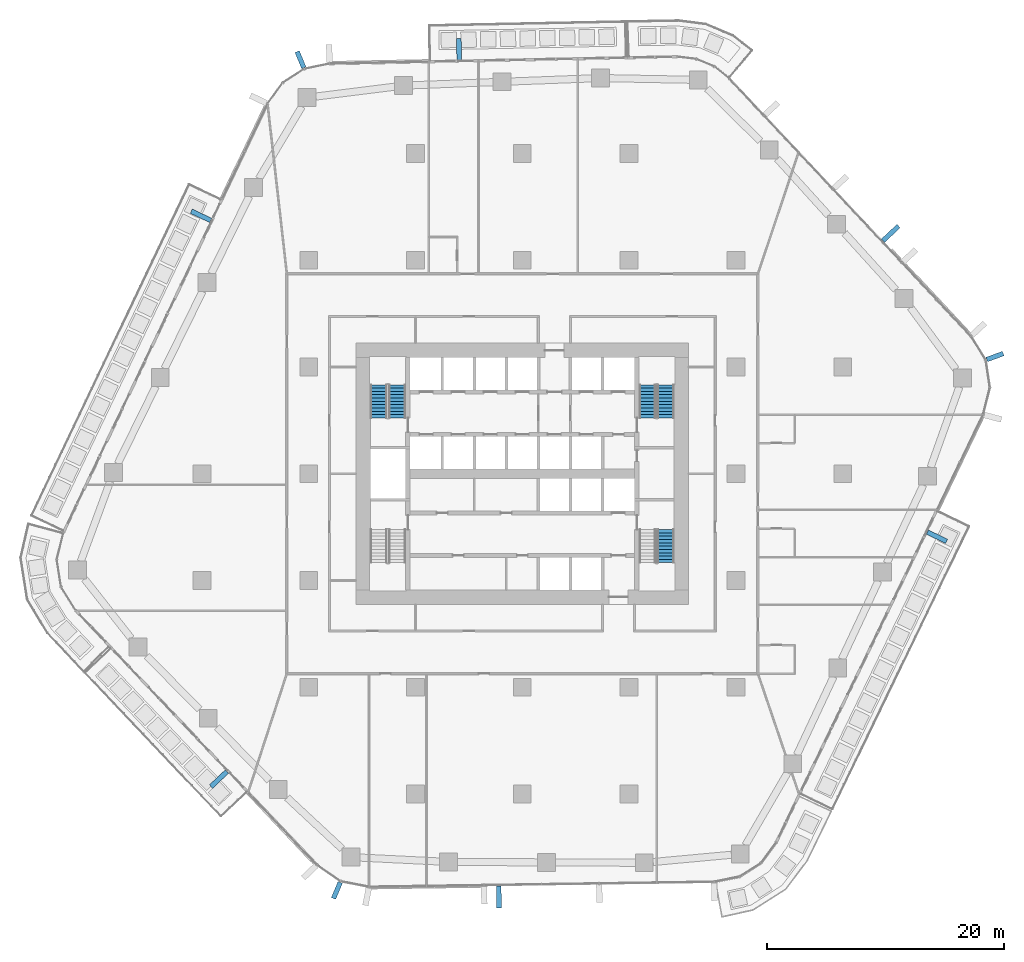
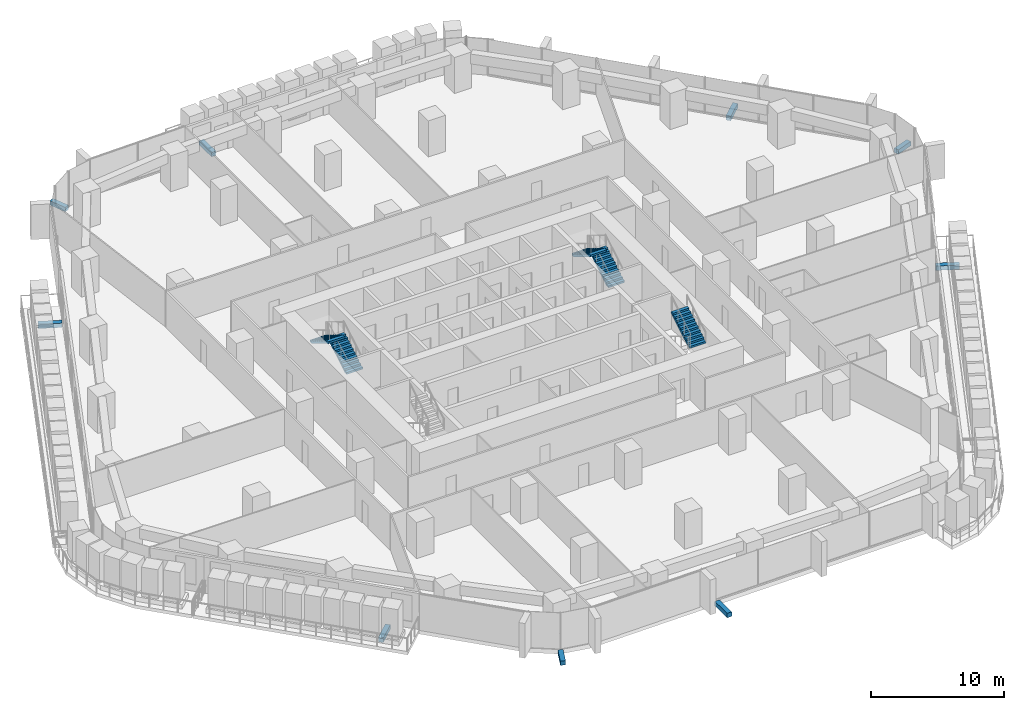
# One storey, part 17 of 24: 9 discrete accessories, 5 stair flights, 3 elements without a shape of their own.
"""IFC4 building model written with IfcOpenShell, lengths in metres."""

import ifcopenshell
import ifcopenshell.guid

model = None  # the IFC model being written
_history = None  # IfcOwnerHistory: only IFC2X3 demands one
_inside = {}  # id of a spatial element -> (the spatial element, [elements in it])
_under = {}  # id of a project, library or spatial element -> (it, [spatial elements below it])
_declared = {}  # id of a project -> (the project, [libraries it declares])
_typed = {}  # id of a type object -> (the type object, [elements of that type])
_made_of = {}  # id of a material, layer set ... -> (it, [elements and type objects made of it])


def new_model(schema):
    """Start an empty IFC model of exactly this schema.

    Asked for "IFC4X3", IfcOpenShell would pick the latest addendum, in which some entities
    have other attributes; the version numbers below select the first issue.
    IFC2X3 requires an IfcOwnerHistory on every rooted entity: one is made here for all.
    """
    global model, _history
    if schema == "IFC4X3":
        model = ifcopenshell.file(schema_version=(4, 3, 0, 0))
    else:
        model = ifcopenshell.file(schema=schema)
    _inside.clear()
    _under.clear()
    _declared.clear()
    _typed.clear()
    _made_of.clear()
    _history = None
    if model.schema == "IFC2X3":
        org = make("IfcOrganization", Name="unknown")
        user = make(
            "IfcPersonAndOrganization",
            ThePerson=make("IfcPerson", FamilyName="unknown"),
            TheOrganization=org,
        )
        app = make(
            "IfcApplication",
            ApplicationDeveloper=org,
            Version="unknown",
            ApplicationFullName="unknown",
            ApplicationIdentifier="unknown",
        )
        _history = make(
            "IfcOwnerHistory",
            OwningUser=user,
            OwningApplication=app,
            ChangeAction="ADDED",
            CreationDate=0,
        )
    return model


def make(cls, **values):
    """One entity of the class cls with the attributes given. An attribute that is None is left unset."""
    return model.create_entity(
        cls, **{name: value for name, value in values.items() if value is not None}
    )


def rooted(cls, **values):
    """An entity with a GlobalId (a new one), such as an element, a storey or a relation."""
    return make(cls, GlobalId=ifcopenshell.guid.new(), OwnerHistory=_history, **values)


def si_unit(unit_type, name, prefix=None):
    """IfcSIUnit, for example si_unit("LENGTHUNIT", "METRE", prefix="MILLI")."""
    return make("IfcSIUnit", UnitType=unit_type, Prefix=prefix, Name=name)


def assignment(units):
    """IfcUnitAssignment: the units of a project."""
    return None if units is None else make("IfcUnitAssignment", Units=units)


def point(xyz):
    """IfcCartesianPoint."""
    return None if xyz is None else make("IfcCartesianPoint", Coordinates=xyz)


def direction(xyz):
    """IfcDirection."""
    return None if xyz is None else make("IfcDirection", DirectionRatios=xyz)


def frame(location, z_axis=None, x_axis=None):
    """IfcAxis2Placement3D, a coordinate frame: its origin and axes. An axis left out is left unset."""
    return make(
        "IfcAxis2Placement3D",
        Location=point(location),
        Axis=direction(z_axis),
        RefDirection=direction(x_axis),
    )


def frame_2d(location, x_axis=None):
    """IfcAxis2Placement2D, a coordinate frame in the plane: its origin and x axis."""
    return make(
        "IfcAxis2Placement2D", Location=point(location), RefDirection=direction(x_axis)
    )


def origin():
    """The frame at (0, 0, 0) with its axes left unset."""
    return frame((0.0, 0.0, 0.0))


def origin_2d():
    """The frame at (0, 0) in the plane with its x axis left unset."""
    return frame_2d((0.0, 0.0))


def place(relative_to, where):
    """IfcLocalPlacement: puts the frame where relative to a parent placement (None: the world)."""
    return make(
        "IfcLocalPlacement", PlacementRelTo=relative_to, RelativePlacement=where
    )


def context(
    kind, dimensions, precision=None, world=None, true_north=None, identifier=None
):
    """IfcGeometricRepresentationContext, for example the 3D "Model" context."""
    return make(
        "IfcGeometricRepresentationContext",
        ContextIdentifier=identifier,
        ContextType=kind,
        CoordinateSpaceDimension=dimensions,
        Precision=precision,
        WorldCoordinateSystem=world,
        TrueNorth=true_north,
    )


def subcontext(parent, identifier, kind, view, scale=None):
    """IfcGeometricRepresentationSubContext, for example "Body" below "Model"."""
    return make(
        "IfcGeometricRepresentationSubContext",
        ContextIdentifier=identifier,
        ContextType=kind,
        ParentContext=parent,
        TargetScale=scale,
        TargetView=view,
    )


def project(units=None, contexts=None):
    """IfcProject with its units and contexts."""
    return rooted(
        "IfcProject",
        Name="project",
        RepresentationContexts=contexts,
        UnitsInContext=assignment(units),
    )


def spatial(cls, under=None, at=None, **own):
    """A site, building, storey or space (cls), placed at a placement, below another one or the project."""
    s = rooted(cls, ObjectPlacement=at, **own)
    if under is not None:
        _under.setdefault(under.id(), (under, []))[1].append(s)
    return s


def polyline(points):
    """IfcPolyline through the points."""
    return make("IfcPolyline", Points=[point(p) for p in points])


def profile(cls, at=None, kind="AREA", **sizes):
    """A parametric profile (cls). Its sizes go by their IFC names, for example OverallWidth=200.0."""
    return make(cls, ProfileType=kind, Position=at, **sizes)


def rectangle(**sizes):
    """IfcRectangleProfileDef."""
    return profile("IfcRectangleProfileDef", **sizes)


def outline(outer, holes=None, kind="AREA"):
    """IfcArbitraryClosedProfileDef: a profile drawn as a closed curve; with holes, ...WithVoids."""
    if holes is None:
        return make("IfcArbitraryClosedProfileDef", ProfileType=kind, OuterCurve=outer)
    return make(
        "IfcArbitraryProfileDefWithVoids",
        ProfileType=kind,
        OuterCurve=outer,
        InnerCurves=holes,
    )


def extrude(swept, where, along, depth):
    """IfcExtrudedAreaSolid: the profile swept, set in the frame where, extruded along a direction by depth."""
    return make(
        "IfcExtrudedAreaSolid",
        SweptArea=swept,
        Position=where,
        ExtrudedDirection=direction(along),
        Depth=depth,
    )


def shape(context_of_items, identifier, shape_type, items):
    """IfcShapeRepresentation: the items that make up one representation, for example the "Body"."""
    return make(
        "IfcShapeRepresentation",
        ContextOfItems=context_of_items,
        RepresentationIdentifier=identifier,
        RepresentationType=shape_type,
        Items=items,
    )


def material(Name=None, Category=None):
    """IfcMaterial."""
    return make("IfcMaterial", Name=Name, Category=Category)


def layer(
    of_material, thickness, ventilated=None, Name=None, Category=None, Priority=None
):
    """IfcMaterialLayer: one layer of a wall or slab, of a material (None: an air gap)."""
    return make(
        "IfcMaterialLayer",
        Material=of_material,
        LayerThickness=thickness,
        IsVentilated=ventilated,
        Name=Name,
        Category=Category,
        Priority=Priority,
    )


def layer_set(layers, Name=None):
    """IfcMaterialLayerSet."""
    return make("IfcMaterialLayerSet", MaterialLayers=layers, LayerSetName=Name)


def made_of(thing, what):
    """Note that an element or type object is made of a material, layer set ...; save() writes the relation."""
    if what is not None:
        _made_of.setdefault(what.id(), (what, []))[1].append(thing)
    return thing


def type_object(cls, material=None, **own):
    """A type object (cls), such as IfcWallType, which elements share."""
    return made_of(rooted(cls, **own), material)


def element(
    cls,
    number,
    at=None,
    inside=None,
    cuts=None,
    type_object=None,
    material=None,
    context=None,
    identifier="Body",
    shape_type=None,
    held_by="IfcProductDefinitionShape",
    body=None,
    shapes=None,
    **own,
):
    """One element of the class cls, such as IfcWall. Its Tag is "e" and its number.

    at: its placement. inside: the storey or other place that contains it. cuts: it is an
    opening in that element (IfcRelVoidsElement). A single representation is given by context,
    identifier, shape_type and body (its items); several are given by shapes. held_by: the class
    of the entity that holds the representations. save() writes the other relations.
    """
    e = rooted(cls, Tag="e%d" % number, ObjectPlacement=at, **own)
    if body is not None:
        shapes = [shape(context, identifier, shape_type, body)]
    if shapes is not None:
        e.Representation = make(held_by, Representations=shapes)
    if inside is not None:
        _inside.setdefault(inside.id(), (inside, []))[1].append(e)
    if cuts is not None:
        rooted(
            "IfcRelVoidsElement", RelatingBuildingElement=cuts, RelatedOpeningElement=e
        )
    if type_object is not None:
        _typed.setdefault(type_object.id(), (type_object, []))[1].append(e)
    return made_of(e, material)


def aggregate(whole, parts):
    """IfcRelAggregates: a whole, such as a stair, and the parts it consists of."""
    return rooted("IfcRelAggregates", RelatingObject=whole, RelatedObjects=parts)


def save(model, path):
    """Write the relations noted so far, then the file.

    IfcRelAggregates (storeys below a building ...), IfcRelContainedInSpatialStructure (elements
    in a storey), IfcRelDefinesByType, IfcRelAssociatesMaterial and IfcRelDeclares: one each for
    every whole, place, type object, material and project.
    """
    for whole, parts in _under.values():
        aggregate(whole, parts)
    for where, things in _inside.values():
        rooted(
            "IfcRelContainedInSpatialStructure",
            RelatedElements=things,
            RelatingStructure=where,
        )
    for kind, things in _typed.values():
        rooted("IfcRelDefinesByType", RelatedObjects=things, RelatingType=kind)
    for what, things in _made_of.values():
        rooted("IfcRelAssociatesMaterial", RelatedObjects=things, RelatingMaterial=what)
    for by, libraries in _declared.values():
        rooted("IfcRelDeclares", RelatingContext=by, RelatedDefinitions=libraries)
    model.write(path)


model = new_model("IFC4")

# Units and contexts
model_context = context("Model", 3, precision=1e-05, world=origin(), true_north=direction((0.0, 1.0)))
body_context = subcontext(model_context, "Body", "Model", "MODEL_VIEW")
ifc_project = project(units=[si_unit("LENGTHUNIT", "METRE"), si_unit("AREAUNIT", "SQUARE_METRE"), si_unit("VOLUMEUNIT", "CUBIC_METRE"), si_unit("PLANEANGLEUNIT", "RADIAN"), si_unit("MASSUNIT", "GRAM", prefix="KILO")], contexts=[model_context])

# Site, building, storey
site_placement = place(None, origin())
site = spatial("IfcSite", under=ifc_project, at=site_placement, CompositionType="ELEMENT")
building_placement = place(site_placement, origin())
building = spatial("IfcBuilding", under=site, at=building_placement, Name="Dongbaek Canopy Tower", CompositionType="ELEMENT")
storey_placement = place(building_placement, frame((0.0, 0.0, 47.699951171875)))
storey = spatial("IfcBuildingStorey", under=building, at=storey_placement, Name="L07", CompositionType="ELEMENT", Elevation=47.699951171875)

# Stair, stair flights
ifc_material_1 = material(Name="Concrete C40/50", Category="concrete")
stair_type = type_object("IfcStairType", Name="Core exit stair", PredefinedType="HALF_TURN_STAIR", material=ifc_material_1)
stair_1_placement = place(storey_placement, origin())
stair_1 = element("IfcStair", 1, at=stair_1_placement, inside=storey, type_object=stair_type, Name="L07 exit stair A", PredefinedType="HALF_TURN_STAIR")
ifc_material_2 = material(Name="Concrete C40/50", Category="concrete")
ifc_layer = layer(ifc_material_2, 0.14990234375)
ifc_layer_set = layer_set([ifc_layer], Name="Core stair flight 150 waist")
stair_flight_type = type_object("IfcStairFlightType", Name="Core stair flight 150 waist", PredefinedType="STRAIGHT", material=ifc_layer_set)
stair_flight_1_placement = place(storey_placement, frame((12.10009765625, 4.699951171875, 0.0), z_axis=(0.0, 0.0, 1.0), x_axis=(0.0, 1.0, 0.0)))
stair_flight_1 = element("IfcStairFlight", 2, at=stair_flight_1_placement, type_object=stair_flight_type, Name="ST-A flight 1", NumberOfRisers=11, NumberOfTreads=10, PredefinedType="STRAIGHT", RiserHeight=0.168181818, TreadLength=0.28, context=body_context, shape_type="SweptSolid", body=[
    extrude(outline(polyline([(0.0, 0.0), (0.0, 0.168212890625), (0.280029296875, 0.168212890625), (0.280029296875, 0.33642578125), (0.56005859375, 0.33642578125), (0.56005859375, 0.504638671875), (0.840087890625, 0.504638671875), (0.840087890625, 0.672607421875), (1.1201171875, 0.672607421875), (1.1201171875, 0.8408203125), (1.39990234375, 0.8408203125), (1.39990234375, 1.009033203125), (1.679931640625, 1.009033203125), (1.679931640625, 1.17724609375), (1.9599609375, 1.17724609375), (1.9599609375, 1.345458984375), (2.239990234375, 1.345458984375), (2.239990234375, 1.513671875), (2.52001953125, 1.513671875), (2.52001953125, 1.681884765625), (2.800048828125, 1.681884765625), (2.800048828125, 1.85009765625), (2.800048828125, 1.5068359375), (0.291015625, 0.0), (0.0, 0.0)])), frame((0.0, 0.699951171875, 0.0), z_axis=(0.0, -1.0, 0.0), x_axis=(1.0, 0.0, 0.0)), (0.0, 0.0, 1.0), 1.39990234375),
])
stair_flight_2_placement = place(storey_placement, frame((10.550048828125, 7.5, 1.85009765625), z_axis=(0.0, 0.0, 1.0), x_axis=(0.0, -1.0, 0.0)))
stair_flight_2 = element("IfcStairFlight", 3, at=stair_flight_2_placement, type_object=stair_flight_type, Name="ST-A flight 2", NumberOfRisers=11, NumberOfTreads=10, PredefinedType="STRAIGHT", RiserHeight=0.168181818, TreadLength=0.28, context=body_context, shape_type="SweptSolid", body=[
    extrude(outline(polyline([(0.0, 0.0), (0.0, 0.168212890625), (0.280029296875, 0.168212890625), (0.280029296875, 0.33642578125), (0.56005859375, 0.33642578125), (0.56005859375, 0.504638671875), (0.840087890625, 0.504638671875), (0.840087890625, 0.672607421875), (1.1201171875, 0.672607421875), (1.1201171875, 0.8408203125), (1.39990234375, 0.8408203125), (1.39990234375, 1.009033203125), (1.679931640625, 1.009033203125), (1.679931640625, 1.17724609375), (1.9599609375, 1.17724609375), (1.9599609375, 1.345458984375), (2.239990234375, 1.345458984375), (2.239990234375, 1.513671875), (2.52001953125, 1.513671875), (2.52001953125, 1.681884765625), (2.800048828125, 1.681884765625), (2.800048828125, 1.85009765625), (2.800048828125, 1.5068359375), (0.291015625, 0.0), (0.0, 0.0)])), frame((0.0, 0.699951171875, 0.0), z_axis=(0.0, -1.0, 0.0), x_axis=(1.0, 0.0, 0.0)), (0.0, 0.0, 1.0), 1.39990234375),
])
aggregate(stair_1, [stair_flight_1, stair_flight_2])

stair_2_placement = place(storey_placement, origin())
stair_2 = element("IfcStair", 4, at=stair_2_placement, inside=storey, type_object=stair_type, Name="L07 exit stair C", PredefinedType="HALF_TURN_STAIR")
stair_flight_3_placement = place(storey_placement, frame((-10.550048828125, 4.699951171875, 0.0), z_axis=(0.0, 0.0, 1.0), x_axis=(0.0, 1.0, 0.0)))
stair_flight_3 = element("IfcStairFlight", 5, at=stair_flight_3_placement, type_object=stair_flight_type, Name="ST-C flight 1", NumberOfRisers=11, NumberOfTreads=10, PredefinedType="STRAIGHT", RiserHeight=0.168181818, TreadLength=0.28, context=body_context, shape_type="SweptSolid", body=[
    extrude(outline(polyline([(0.0, 0.0), (0.0, 0.168212890625), (0.280029296875, 0.168212890625), (0.280029296875, 0.33642578125), (0.56005859375, 0.33642578125), (0.56005859375, 0.504638671875), (0.840087890625, 0.504638671875), (0.840087890625, 0.672607421875), (1.1201171875, 0.672607421875), (1.1201171875, 0.8408203125), (1.39990234375, 0.8408203125), (1.39990234375, 1.009033203125), (1.679931640625, 1.009033203125), (1.679931640625, 1.17724609375), (1.9599609375, 1.17724609375), (1.9599609375, 1.345458984375), (2.239990234375, 1.345458984375), (2.239990234375, 1.513671875), (2.52001953125, 1.513671875), (2.52001953125, 1.681884765625), (2.800048828125, 1.681884765625), (2.800048828125, 1.85009765625), (2.800048828125, 1.5068359375), (0.291015625, 0.0), (0.0, 0.0)])), frame((0.0, 0.699951171875, 0.0), z_axis=(0.0, -1.0, 0.0), x_axis=(1.0, 0.0, 0.0)), (0.0, 0.0, 1.0), 1.39990234375),
])
stair_flight_4_placement = place(storey_placement, frame((-12.10009765625, 7.5, 1.85009765625), z_axis=(0.0, 0.0, 1.0), x_axis=(0.0, -1.0, 0.0)))
stair_flight_4 = element("IfcStairFlight", 6, at=stair_flight_4_placement, type_object=stair_flight_type, Name="ST-C flight 2", NumberOfRisers=11, NumberOfTreads=10, PredefinedType="STRAIGHT", RiserHeight=0.168181818, TreadLength=0.28, context=body_context, shape_type="SweptSolid", body=[
    extrude(outline(polyline([(0.0, 0.0), (0.0, 0.168212890625), (0.280029296875, 0.168212890625), (0.280029296875, 0.33642578125), (0.56005859375, 0.33642578125), (0.56005859375, 0.504638671875), (0.840087890625, 0.504638671875), (0.840087890625, 0.672607421875), (1.1201171875, 0.672607421875), (1.1201171875, 0.8408203125), (1.39990234375, 0.8408203125), (1.39990234375, 1.009033203125), (1.679931640625, 1.009033203125), (1.679931640625, 1.17724609375), (1.9599609375, 1.17724609375), (1.9599609375, 1.345458984375), (2.239990234375, 1.345458984375), (2.239990234375, 1.513671875), (2.52001953125, 1.513671875), (2.52001953125, 1.681884765625), (2.800048828125, 1.681884765625), (2.800048828125, 1.85009765625), (2.800048828125, 1.5068359375), (0.291015625, 0.0), (0.0, 0.0)])), frame((0.0, 0.699951171875, 0.0), z_axis=(0.0, -1.0, 0.0), x_axis=(1.0, 0.0, 0.0)), (0.0, 0.0, 1.0), 1.39990234375),
])
aggregate(stair_2, [stair_flight_3, stair_flight_4])

# Stair, stair flight
stair_3_placement = place(storey_placement, origin())
stair_3 = element("IfcStair", 7, at=stair_3_placement, inside=storey, type_object=stair_type, Name="L07 exit stair B", PredefinedType="HALF_TURN_STAIR")
stair_flight_5_placement = place(storey_placement, frame((12.10009765625, -7.5, 1.85009765625), z_axis=(0.0, 0.0, 1.0), x_axis=(0.0, 1.0, 0.0)))
stair_flight_5 = element("IfcStairFlight", 8, at=stair_flight_5_placement, type_object=stair_flight_type, Name="ST-B flight 2", NumberOfRisers=11, NumberOfTreads=10, PredefinedType="STRAIGHT", RiserHeight=0.168181818, TreadLength=0.28, context=body_context, shape_type="SweptSolid", body=[
    extrude(outline(polyline([(0.0, 0.0), (0.0, 0.168212890625), (0.280029296875, 0.168212890625), (0.280029296875, 0.33642578125), (0.56005859375, 0.33642578125), (0.56005859375, 0.504638671875), (0.840087890625, 0.504638671875), (0.840087890625, 0.672607421875), (1.1201171875, 0.672607421875), (1.1201171875, 0.8408203125), (1.39990234375, 0.8408203125), (1.39990234375, 1.009033203125), (1.679931640625, 1.009033203125), (1.679931640625, 1.17724609375), (1.9599609375, 1.17724609375), (1.9599609375, 1.345458984375), (2.239990234375, 1.345458984375), (2.239990234375, 1.513671875), (2.52001953125, 1.513671875), (2.52001953125, 1.681884765625), (2.800048828125, 1.681884765625), (2.800048828125, 1.85009765625), (2.800048828125, 1.5068359375), (0.291015625, 0.0), (0.0, 0.0)])), frame((0.0, 0.699951171875, 0.0), z_axis=(0.0, -1.0, 0.0), x_axis=(1.0, 0.0, 0.0)), (0.0, 0.0, 1.0), 1.39990234375),
])
aggregate(stair_3, [stair_flight_5])

# Discrete accessories
ifc_material_3 = material(Name="Galvanised steel S355 bracket", Category="steel")
discrete_accessory_type = type_object("IfcDiscreteAccessoryType", Name="Crease fin bracket BR3 400", PredefinedType="BRACKET", material=ifc_material_3)
discrete_accessory_1_placement = place(storey_placement, frame((34.95361328125, -5.311279296875, -0.39990234375), z_axis=(0.0, 0.0, 1.0), x_axis=(0.900311934697, -0.435245241493, 0.0)))
element("IfcDiscreteAccessory", 9, at=discrete_accessory_1_placement, inside=storey, type_object=discrete_accessory_type, Name="Crease fin bracket L07 F5", PredefinedType="BRACKET", context=body_context, shape_type="SweptSolid", body=[
    extrude(rectangle(XDim=1.791748046875, YDim=0.39990234375, at=origin_2d()), origin(), (0.0, 0.0, 1.0), 0.39990234375),
])
discrete_accessory_2_placement = place(storey_placement, frame((31.05419921875, 20.260009765625, -0.39990234375), z_axis=(0.0, 0.0, 1.0), x_axis=(0.729368747427, 0.684120771704, 0.0)))
element("IfcDiscreteAccessory", 10, at=discrete_accessory_2_placement, inside=storey, type_object=discrete_accessory_type, Name="Crease fin bracket L07 F0", PredefinedType="BRACKET", context=body_context, shape_type="SweptSolid", body=[
    extrude(rectangle(XDim=1.79638671875, YDim=0.39990234375, at=origin_2d()), origin(), (0.0, 0.0, 1.0), 0.39990234375),
])
discrete_accessory_3_placement = place(storey_placement, frame((-5.336181640625, 35.783203125, -0.39990234375), z_axis=(0.0, 0.0, 1.0), x_axis=(-0.019925105424, 0.999801475381, 0.0)))
element("IfcDiscreteAccessory", 11, at=discrete_accessory_3_placement, inside=storey, type_object=discrete_accessory_type, Name="Crease fin bracket L07 F1", PredefinedType="BRACKET", context=body_context, shape_type="SweptSolid", body=[
    extrude(rectangle(XDim=1.806396484375, YDim=0.39990234375, at=origin_2d()), origin(), (0.0, 0.0, 1.0), 0.39990234375),
])
discrete_accessory_4_placement = place(storey_placement, frame((-27.08642578125, 21.73974609375, -0.39990234375), z_axis=(0.0, 0.0, 1.0), x_axis=(-0.902929129641, 0.429789468049, 0.0)))
element("IfcDiscreteAccessory", 12, at=discrete_accessory_4_placement, inside=storey, type_object=discrete_accessory_type, Name="Crease fin bracket L07 F2", PredefinedType="BRACKET", context=body_context, shape_type="SweptSolid", body=[
    extrude(rectangle(XDim=1.807861328125, YDim=0.39990234375, at=origin_2d()), origin(), (0.0, 0.0, 1.0), 0.39990234375),
])
discrete_accessory_5_placement = place(storey_placement, frame((-25.568359375, -25.73388671875, -0.39990234375), z_axis=(0.0, 0.0, 1.0), x_axis=(-0.725626617414, -0.688088665871, 0.0)))
element("IfcDiscreteAccessory", 13, at=discrete_accessory_5_placement, inside=storey, type_object=discrete_accessory_type, Name="Crease fin bracket L07 F3", PredefinedType="BRACKET", context=body_context, shape_type="SweptSolid", body=[
    extrude(rectangle(XDim=1.837890625, YDim=0.39990234375, at=origin_2d()), origin(), (0.0, 0.0, 1.0), 0.39990234375),
])
discrete_accessory_6_placement = place(storey_placement, frame((-1.973388671875, -35.667724609375, -0.39990234375), z_axis=(0.0, 0.0, 1.0), x_axis=(0.014618357116, -0.999893146109, 0.0)))
element("IfcDiscreteAccessory", 14, at=discrete_accessory_6_placement, inside=storey, type_object=discrete_accessory_type, Name="Crease fin bracket L07 F4", PredefinedType="BRACKET", context=body_context, shape_type="SweptSolid", body=[
    extrude(rectangle(XDim=1.829833984375, YDim=0.39990234375, at=origin_2d()), origin(), (0.0, 0.0, 1.0), 0.39990234375),
])
for number, where, z_axis, x_axis, name in (
    (15, (39.835693359375, 9.877197265625, -0.39990234375), (0.0, 0.0, 1.0), (0.938629752704, 0.344926350601, 0.0), "Corner fin bracket L07 K0"),
    (16, (-18.69775390625, 34.8955078125, -0.39990234375), (0.0, 0.0, 1.0), (-0.379075035592, 0.925365937017, 0.0), "Corner fin bracket L07 K2"),
    (17, (-15.632568359375, -35.120361328125, -0.39990234375), (0.0, 0.0, 1.0), (-0.38818641788, -0.921580872725, 0.0), "Corner fin bracket L07 K4"),
):
    element("IfcDiscreteAccessory", number, at=place(storey_placement, frame(where, z_axis=z_axis, x_axis=x_axis)), inside=storey, type_object=discrete_accessory_type, Name=name, PredefinedType="BRACKET", context=body_context, shape_type="SweptSolid", body=[
        extrude(rectangle(XDim=1.469970703125, YDim=0.39990234375, at=origin_2d()), origin(), (0.0, 0.0, 1.0), 0.39990234375),
    ])

save(model, "model.ifc")
